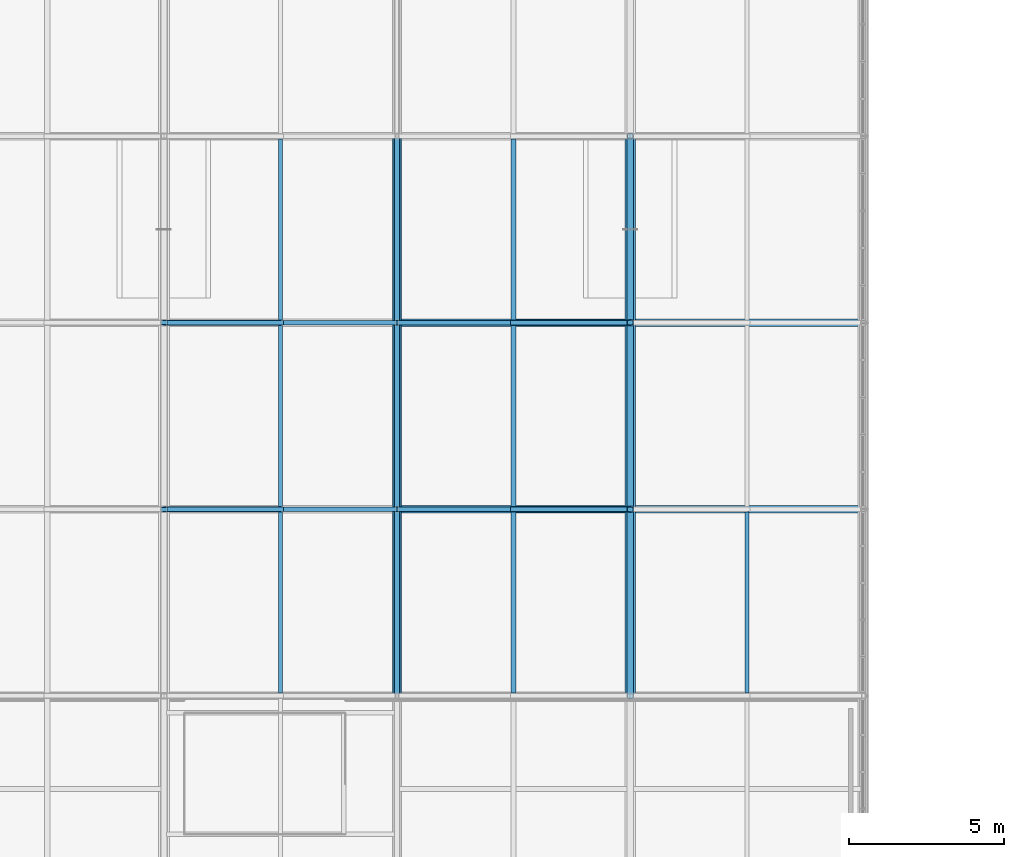
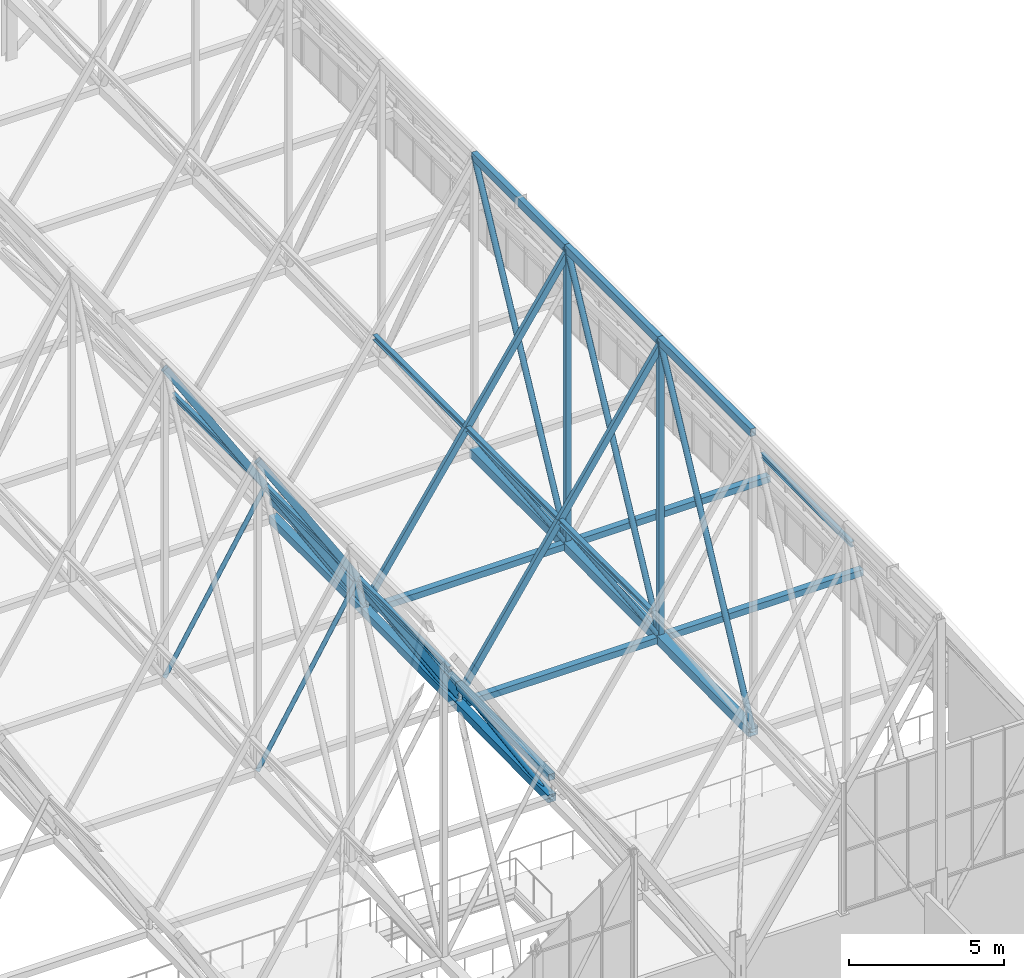
# One storey, part 221 of 324: 34 members, 7 beams.
"""IFC4 building model written with IfcOpenShell, lengths in metres."""

from ifc_helpers import new_model, si_unit, direction, frame, origin, origin_2d, place, context, subcontext, project, spatial, hollow_rectangle, hollow_circle, i_section, extrude, material, material_profile, profile_set, type_object, element, save


model = new_model("IFC4")

# Units and contexts
model_context = context("Model", 3, precision=1e-05, world=origin(), true_north=direction((0.0, 1.0)))
body_context = subcontext(model_context, "Body", "Model", "MODEL_VIEW")
ifc_project = project(units=[si_unit("LENGTHUNIT", "METRE"), si_unit("AREAUNIT", "SQUARE_METRE"), si_unit("VOLUMEUNIT", "CUBIC_METRE"), si_unit("PLANEANGLEUNIT", "RADIAN"), si_unit("MASSUNIT", "GRAM", prefix="KILO")], contexts=[model_context])

# Site, building, storey
site_placement = place(None, origin())
site = spatial("IfcSite", under=ifc_project, at=site_placement, CompositionType="ELEMENT")
building_placement = place(site_placement, origin())
building = spatial("IfcBuilding", under=site, at=building_placement, Name="Solvenia Promenade Tram Depot", CompositionType="ELEMENT")
storey_placement = place(building_placement, frame((0.0, 0.0, 4.5)))
storey = spatial("IfcBuildingStorey", under=building, at=storey_placement, Name="L01", CompositionType="ELEMENT", Elevation=4.5)

# Members
ifc_material_1 = material(Name="Structural steel ASTM A500 Gr. C", Category="steel")
ifc_material_profile_1 = material_profile(ifc_material_1, hollow_circle(Radius=0.109619140625, WallThickness=0.008056640625, at=origin_2d()), Name="CHS219.1x8", Category="steel")
ifc_profile_set_1 = profile_set([ifc_material_profile_1], Name="Structural steel ASTM A500 Gr. C")
member_type_1 = type_object("IfcMemberType", Name="Brace-CHS219x8", PredefinedType="BRACE", material=ifc_profile_set_1)
member_1_placement = place(storey_placement, frame((142.5, 78.0, 2.5439453125), z_axis=(0.0, 0.453827022194, 0.891089801269), x_axis=(-1.0, 0.0, 0.0)))
element("IfcMember", 1, at=member_1_placement, inside=storey, type_object=member_type_1, Name="Arched Truss T20 Web Diagonal S03", PredefinedType="BRACE", context=body_context, shape_type="SweptSolid", body=[
    extrude(hollow_circle(Radius=0.109619140625, WallThickness=0.008056640625, at=origin_2d()), origin(), (0.0, 0.0, 1.0), 13.220947265625),
])
member_2_placement = place(storey_placement, frame((142.5, 84.0, 2.614013671875), z_axis=(0.0, 0.455979110713, 0.889990477811), x_axis=(-1.0, 0.0, 0.0)))
element("IfcMember", 2, at=member_2_placement, inside=storey, type_object=member_type_1, Name="Arched Truss T20 Web Diagonal S04", PredefinedType="BRACE", context=body_context, shape_type="SweptSolid", body=[
    extrude(hollow_circle(Radius=0.109619140625, WallThickness=0.008056640625, at=origin_2d()), origin(), (0.0, 0.0, 1.0), 13.158447265625),
])
member_3_placement = place(storey_placement, frame((142.5, 90.0, 2.656005859375), z_axis=(0.0, 0.457277380329, 0.88932412395), x_axis=(-1.0, 0.0, 0.0)))
element("IfcMember", 3, at=member_3_placement, inside=storey, type_object=member_type_1, Name="Arched Truss T20 Web Diagonal S05", PredefinedType="BRACE", context=body_context, shape_type="SweptSolid", body=[
    extrude(hollow_circle(Radius=0.109619140625, WallThickness=0.008056640625, at=origin_2d()), origin(), (0.0, 0.0, 1.0), 13.12109375),
])
ifc_material_profile_2 = material_profile(ifc_material_1, hollow_rectangle(XDim=0.14990234375, YDim=0.25, WallThickness=0.010009765625, at=origin_2d()), Name="HSS250x150x10", Category="steel")
ifc_profile_set_2 = profile_set([ifc_material_profile_2], Name="Structural steel ASTM A500 Gr. C")
member_type_2 = type_object("IfcMemberType", Name="Chord-HSS250x150x10", PredefinedType="CHORD", material=ifc_profile_set_2)
member_4_placement = place(storey_placement, frame((127.5, 84.0, 14.83251953125), z_axis=(0.533522444929, 0.0, -0.845785907164), x_axis=(0.0, 1.0, 0.0)))
element("IfcMember", 4, at=member_4_placement, inside=storey, type_object=member_type_2, Name="Zigzag Gable 09 East Upper Rafter", PredefinedType="CHORD", context=body_context, shape_type="SweptSolid", body=[
    extrude(hollow_rectangle(XDim=0.14990234375, YDim=0.25, WallThickness=0.010009765625, at=origin_2d()), origin(), (0.0, 0.0, 1.0), 7.02880859375),
])
member_5_placement = place(storey_placement, frame((131.25, 84.0, 8.8876953125), z_axis=(0.533506771487, 0.0, -0.845795793781), x_axis=(0.0, 1.0, 0.0)))
element("IfcMember", 5, at=member_5_placement, inside=storey, type_object=member_type_2, Name="Zigzag Gable 09 East Lower Rafter", PredefinedType="CHORD", context=body_context, shape_type="SweptSolid", body=[
    extrude(hollow_rectangle(XDim=0.14990234375, YDim=0.25, WallThickness=0.010009765625, at=origin_2d()), origin(), (0.0, 0.0, 1.0), 7.029052734375),
])
member_6_placement = place(storey_placement, frame((127.5, 90.0, 14.83251953125), z_axis=(0.533522444929, 0.0, -0.845785907164), x_axis=(0.0, 1.0, 0.0)))
element("IfcMember", 6, at=member_6_placement, inside=storey, type_object=member_type_2, Name="Zigzag Gable 09 East Upper Rafter", PredefinedType="CHORD", context=body_context, shape_type="SweptSolid", body=[
    extrude(hollow_rectangle(XDim=0.14990234375, YDim=0.25, WallThickness=0.010009765625, at=origin_2d()), origin(), (0.0, 0.0, 1.0), 7.02880859375),
])
member_7_placement = place(storey_placement, frame((131.25, 90.0, 8.8876953125), z_axis=(0.533506771487, 0.0, -0.845795793781), x_axis=(0.0, 1.0, 0.0)))
element("IfcMember", 7, at=member_7_placement, inside=storey, type_object=member_type_2, Name="Zigzag Gable 09 East Lower Rafter", PredefinedType="CHORD", context=body_context, shape_type="SweptSolid", body=[
    extrude(hollow_rectangle(XDim=0.14990234375, YDim=0.25, WallThickness=0.010009765625, at=origin_2d()), origin(), (0.0, 0.0, 1.0), 7.029052734375),
])
for number, where, z_axis, x_axis, name in (
    (8, (135.0, 84.0, 2.95703125), (0.557276274528, 0.0, 0.830327136644), (0.0, 1.0, 0.0), "Zigzag Gable 10 West Lower Rafter"),
    (9, (138.75, 84.0, 8.54443359375), (0.557259486914, 0.0, 0.83033840345), (0.0, 1.0, 0.0), "Zigzag Gable 10 West Upper Rafter"),
    (10, (135.0, 90.0, 2.95703125), (0.557276274528, 0.0, 0.830327136644), (0.0, 1.0, 0.0), "Zigzag Gable 10 West Lower Rafter"),
    (11, (138.75, 90.0, 8.54443359375), (0.557259486914, 0.0, 0.83033840345), (0.0, 1.0, 0.0), "Zigzag Gable 10 West Upper Rafter"),
):
    element("IfcMember", number, at=place(storey_placement, frame(where, z_axis=z_axis, x_axis=x_axis)), inside=storey, type_object=member_type_2, Name=name, PredefinedType="CHORD", context=body_context, shape_type="SweptSolid", body=[
        extrude(hollow_rectangle(XDim=0.14990234375, YDim=0.25, WallThickness=0.010009765625, at=origin_2d()), origin(), (0.0, 0.0, 1.0), 6.729248046875),
    ])
ifc_material_profile_3 = material_profile(ifc_material_1, hollow_rectangle(XDim=0.25, YDim=0.25, WallThickness=0.010009765625, at=origin_2d()), Name="HSS250x250x10", Category="steel")
ifc_profile_set_3 = profile_set([ifc_material_profile_3], Name="Structural steel ASTM A500 Gr. C")
member_type_3 = type_object("IfcMemberType", Name="Chord-HSS250x250x10", PredefinedType="CHORD", material=ifc_profile_set_3)
for number, where, z_axis, x_axis, name in (
    (12, (135.0, 78.0, 3.3798828125), (0.0, 1.0, 0.0), (-1.0, 0.0, 0.0), "Arched Truss T19 Upper Chord S03"),
    (13, (135.0, 84.0, 3.3798828125), (0.0, 1.0, 0.0), (-1.0, 0.0, 0.0), "Arched Truss T19 Upper Chord S04"),
    (14, (135.0, 90.0, 3.3798828125), (0.0, 1.0, 0.0), (-1.0, 0.0, 0.0), "Arched Truss T19 Upper Chord S05"),
):
    element("IfcMember", number, at=place(storey_placement, frame(where, z_axis=z_axis, x_axis=x_axis)), inside=storey, type_object=member_type_3, Name=name, PredefinedType="CHORD", context=body_context, shape_type="SweptSolid", body=[
        extrude(hollow_rectangle(XDim=0.25, YDim=0.25, WallThickness=0.010009765625, at=origin_2d()), origin(), (0.0, 0.0, 1.0), 6.0),
    ])
for number, where, z_axis, x_axis, name in (
    (15, (135.0, 84.0, 2.614013671875), (1.0, 0.0, 0.0), (0.0, 1.0, 0.0), "Bottom-Chord Catenary Lateral Tie 084"),
    (16, (135.0, 90.0, 2.656005859375), (1.0, 0.0, 0.0), (0.0, 1.0, 0.0), "Bottom-Chord Catenary Lateral Tie 085"),
):
    element("IfcMember", number, at=place(storey_placement, frame(where, z_axis=z_axis, x_axis=x_axis)), inside=storey, type_object=member_type_3, Name=name, PredefinedType="CHORD", context=body_context, shape_type="SweptSolid", body=[
        extrude(hollow_rectangle(XDim=0.25, YDim=0.25, WallThickness=0.010009765625, at=origin_2d()), origin(), (0.0, 0.0, 1.0), 15.0),
    ])
ifc_material_profile_4 = material_profile(ifc_material_1, hollow_rectangle(XDim=0.199951171875, YDim=0.300048828125, WallThickness=0.012451171875, at=origin_2d()), Name="HSS300x200x12.5", Category="steel")
ifc_profile_set_4 = profile_set([ifc_material_profile_4], Name="Structural steel ASTM A500 Gr. C")
member_type_4 = type_object("IfcMemberType", Name="Chord-HSS300x200x12", PredefinedType="CHORD", material=ifc_profile_set_4)
for number, where, z_axis, x_axis, name in (
    (17, (142.5, 78.0, 14.324951171875), (0.0, 1.0, 0.0), (-1.0, 0.0, 0.0), "Arched Truss T20 Upper Chord S03"),
    (18, (142.5, 84.0, 14.324951171875), (0.0, 1.0, 0.0), (-1.0, 0.0, 0.0), "Arched Truss T20 Upper Chord S04"),
    (19, (142.5, 90.0, 14.324951171875), (0.0, 1.0, 0.0), (-1.0, 0.0, 0.0), "Arched Truss T20 Upper Chord S05"),
):
    element("IfcMember", number, at=place(storey_placement, frame(where, z_axis=z_axis, x_axis=x_axis)), inside=storey, type_object=member_type_4, Name=name, PredefinedType="CHORD", context=body_context, shape_type="SweptSolid", body=[
        extrude(hollow_rectangle(XDim=0.199951171875, YDim=0.300048828125, WallThickness=0.012451171875, at=origin_2d()), origin(), (0.0, 0.0, 1.0), 6.0),
    ])
ifc_material_profile_5 = material_profile(ifc_material_1, hollow_rectangle(XDim=0.300048828125, YDim=0.300048828125, WallThickness=0.012451171875, at=origin_2d()), Name="HSS300x300x12.5", Category="steel")
ifc_profile_set_5 = profile_set([ifc_material_profile_5], Name="Structural steel ASTM A500 Gr. C")
member_type_5 = type_object("IfcMemberType", Name="Chord-HSS300x300x12", PredefinedType="CHORD", material=ifc_profile_set_5)
member_8_placement = place(storey_placement, frame((135.0, 78.0, 2.5439453125), z_axis=(0.0, 0.999931818432, 0.011677263667), x_axis=(-1.0, 0.0, 0.0)))
element("IfcMember", 20, at=member_8_placement, inside=storey, type_object=member_type_5, Name="Arched Truss T19 Bottom Chord S03", PredefinedType="CHORD", context=body_context, shape_type="SweptSolid", body=[
    extrude(hollow_rectangle(XDim=0.300048828125, YDim=0.300048828125, WallThickness=0.012451171875, at=origin_2d()), origin(), (0.0, 0.0, 1.0), 6.00048828125),
])
member_9_placement = place(storey_placement, frame((135.0, 84.0, 2.614013671875), z_axis=(0.0, 0.999975510013, 0.006998526519), x_axis=(-1.0, 0.0, 0.0)))
element("IfcMember", 21, at=member_9_placement, inside=storey, type_object=member_type_5, Name="Arched Truss T19 Bottom Chord S04", PredefinedType="CHORD", context=body_context, shape_type="SweptSolid", body=[
    extrude(hollow_rectangle(XDim=0.300048828125, YDim=0.300048828125, WallThickness=0.012451171875, at=origin_2d()), origin(), (0.0, 0.0, 1.0), 6.000244140625),
])
member_10_placement = place(storey_placement, frame((135.0, 90.0, 2.656005859375), z_axis=(0.0, 0.999997310351, 0.002319329699), x_axis=(-1.0, 0.0, 0.0)))
element("IfcMember", 22, at=member_10_placement, inside=storey, type_object=member_type_5, Name="Arched Truss T19 Bottom Chord S05", PredefinedType="CHORD", context=body_context, shape_type="SweptSolid", body=[
    extrude(hollow_rectangle(XDim=0.300048828125, YDim=0.300048828125, WallThickness=0.012451171875, at=origin_2d()), origin(), (0.0, 0.0, 1.0), 6.0),
])
ifc_material_profile_6 = material_profile(ifc_material_1, hollow_rectangle(XDim=0.35009765625, YDim=0.35009765625, WallThickness=0.01611328125, at=origin_2d()), Name="HSS350x350x16", Category="steel")
ifc_profile_set_6 = profile_set([ifc_material_profile_6], Name="Structural steel ASTM A500 Gr. C")
member_type_6 = type_object("IfcMemberType", Name="Chord-HSS350x350x16", PredefinedType="CHORD", material=ifc_profile_set_6)
member_11_placement = place(storey_placement, frame((142.5, 78.0, 2.5439453125), z_axis=(0.0, 0.999931818432, 0.011677263667), x_axis=(-1.0, 0.0, 0.0)))
element("IfcMember", 23, at=member_11_placement, inside=storey, type_object=member_type_6, Name="Arched Truss T20 Bottom Chord S03", PredefinedType="CHORD", context=body_context, shape_type="SweptSolid", body=[
    extrude(hollow_rectangle(XDim=0.35009765625, YDim=0.35009765625, WallThickness=0.01611328125, at=origin_2d()), origin(), (0.0, 0.0, 1.0), 6.00048828125),
])
member_12_placement = place(storey_placement, frame((142.5, 84.0, 2.614013671875), z_axis=(0.0, 0.999975510013, 0.006998526519), x_axis=(-1.0, 0.0, 0.0)))
element("IfcMember", 24, at=member_12_placement, inside=storey, type_object=member_type_6, Name="Arched Truss T20 Bottom Chord S04", PredefinedType="CHORD", context=body_context, shape_type="SweptSolid", body=[
    extrude(hollow_rectangle(XDim=0.35009765625, YDim=0.35009765625, WallThickness=0.01611328125, at=origin_2d()), origin(), (0.0, 0.0, 1.0), 6.000244140625),
])
member_13_placement = place(storey_placement, frame((142.5, 90.0, 2.656005859375), z_axis=(0.0, 0.999997310351, 0.002319329699), x_axis=(-1.0, 0.0, 0.0)))
element("IfcMember", 25, at=member_13_placement, inside=storey, type_object=member_type_6, Name="Arched Truss T20 Bottom Chord S05", PredefinedType="CHORD", context=body_context, shape_type="SweptSolid", body=[
    extrude(hollow_rectangle(XDim=0.35009765625, YDim=0.35009765625, WallThickness=0.01611328125, at=origin_2d()), origin(), (0.0, 0.0, 1.0), 6.0),
])
ifc_material_profile_7 = material_profile(ifc_material_1, hollow_rectangle(XDim=0.199951171875, YDim=0.199951171875, WallThickness=0.010009765625, at=origin_2d()), Name="HSS200x200x10", Category="steel")
ifc_profile_set_7 = profile_set([ifc_material_profile_7], Name="Structural steel ASTM A500 Gr. C")
member_type_7 = type_object("IfcMemberType", Name="Post-HSS200x200x10", PredefinedType="POST", material=ifc_profile_set_7)
member_14_placement = place(storey_placement, frame((142.5, 84.0, 2.614013671875), z_axis=(0.0, 0.0, 1.0), x_axis=(1.0, 0.0, 0.0)))
element("IfcMember", 26, at=member_14_placement, inside=storey, type_object=member_type_7, Name="Arched Truss T20 Web Post S03", PredefinedType="POST", context=body_context, shape_type="SweptSolid", body=[
    extrude(hollow_rectangle(XDim=0.199951171875, YDim=0.199951171875, WallThickness=0.010009765625, at=origin_2d()), origin(), (0.0, 0.0, 1.0), 11.7109375),
])
member_15_placement = place(storey_placement, frame((142.5, 90.0, 2.656005859375), z_axis=(0.0, 0.0, 1.0), x_axis=(1.0, 0.0, 0.0)))
element("IfcMember", 27, at=member_15_placement, inside=storey, type_object=member_type_7, Name="Arched Truss T20 Web Post S04", PredefinedType="POST", context=body_context, shape_type="SweptSolid", body=[
    extrude(hollow_rectangle(XDim=0.199951171875, YDim=0.199951171875, WallThickness=0.010009765625, at=origin_2d()), origin(), (0.0, 0.0, 1.0), 11.6689453125),
])

# Beams
ifc_material_2 = material(Name="Structural steel ASTM A992 Gr. 50", Category="steel")
ifc_material_profile_8 = material_profile(ifc_material_2, i_section(OverallWidth=0.133056640625, OverallDepth=0.20703125, WebThickness=0.005859375, FlangeThickness=0.00830078125, FilletRadius=0.009033203125, at=origin_2d()), Name="W200x27", Category="steel")
ifc_profile_set_8 = profile_set([ifc_material_profile_8], Name="Structural steel ASTM A992 Gr. 50")
beam_type_1 = type_object("IfcBeamType", Name="Purlin-W200x27", PredefinedType="USERDEFINED", material=ifc_profile_set_8)
for number, where, z_axis, x_axis, name in (
    (28, (131.25, 78.0849609375, 8.8857421875), (0.0, 1.0, 0.0), (-1.0, 0.0, 0.0), "Gable Roof Purlin E-0166"),
    (29, (131.25, 84.0849609375, 8.8857421875), (0.0, 1.0, 0.0), (-1.0, 0.0, 0.0), "Gable Roof Purlin E-0168"),
    (30, (131.25, 90.0849609375, 8.8857421875), (0.0, 1.0, 0.0), (-1.0, 0.0, 0.0), "Gable Roof Purlin E-0170"),
    (31, (146.25, 78.0849609375, 8.551025390625), (0.0, 1.0, 0.0), (-1.0, 0.0, 0.0), "Gable Roof Purlin E-0186"),
):
    element("IfcBeam", number, at=place(storey_placement, frame(where, z_axis=z_axis, x_axis=x_axis)), inside=storey, type_object=beam_type_1, Name=name, ObjectType="PURLIN", PredefinedType="USERDEFINED", context=body_context, shape_type="SweptSolid", body=[
        extrude(i_section(OverallWidth=0.133056640625, OverallDepth=0.20703125, WebThickness=0.005859375, FlangeThickness=0.00830078125, FilletRadius=0.009033203125, at=origin_2d()), origin(), (0.0, 0.0, 1.0), 5.830078125),
    ])
ifc_material_profile_9 = material_profile(ifc_material_2, i_section(OverallWidth=0.1650390625, OverallDepth=0.200927734375, WebThickness=0.006103515625, FlangeThickness=0.01025390625, FilletRadius=0.010009765625, at=origin_2d()), Name="W200x36", Category="steel")
ifc_profile_set_9 = profile_set([ifc_material_profile_9], Name="Structural steel ASTM A992 Gr. 50")
beam_type_2 = type_object("IfcBeamType", Name="Purlin-W200x36", PredefinedType="USERDEFINED", material=ifc_profile_set_9)
for number, where, z_axis, x_axis, name in (
    (32, (138.75, 78.0849609375, 8.551025390625), (0.0, 1.0, 0.0), (-1.0, 0.0, 0.0), "Gable Roof Purlin W-0185"),
    (33, (138.75, 84.0849609375, 8.551025390625), (0.0, 1.0, 0.0), (-1.0, 0.0, 0.0), "Gable Roof Purlin W-0187"),
    (34, (138.75, 90.0849609375, 8.551025390625), (0.0, 1.0, 0.0), (-1.0, 0.0, 0.0), "Gable Roof Purlin W-0189"),
):
    element("IfcBeam", number, at=place(storey_placement, frame(where, z_axis=z_axis, x_axis=x_axis)), inside=storey, type_object=beam_type_2, Name=name, ObjectType="PURLIN", PredefinedType="USERDEFINED", context=body_context, shape_type="SweptSolid", body=[
        extrude(i_section(OverallWidth=0.1650390625, OverallDepth=0.200927734375, WebThickness=0.006103515625, FlangeThickness=0.01025390625, FilletRadius=0.010009765625, at=origin_2d()), origin(), (0.0, 0.0, 1.0), 5.830078125),
    ])

# Members
ifc_material_profile_10 = material_profile(ifc_material_1, hollow_circle(Radius=0.084228515625, WallThickness=0.008056640625, at=origin_2d()), Name="CHS168.3x8", Category="steel")
ifc_profile_set_10 = profile_set([ifc_material_profile_10], Name="Structural steel ASTM A500 Gr. C")
member_type_8 = type_object("IfcMemberType", Name="WebDiag-CHS168x8", PredefinedType="BRACE", material=ifc_profile_set_10)
member_16_placement = place(storey_placement, frame((135.0, 78.0, 2.5439453125), z_axis=(0.0, 0.990433608353, 0.13799009908), x_axis=(-1.0, 0.0, 0.0)))
element("IfcMember", 35, at=member_16_placement, inside=storey, type_object=member_type_8, Name="Arched Truss T19 Web Diagonal S03", PredefinedType="BRACE", context=body_context, shape_type="SweptSolid", body=[
    extrude(hollow_circle(Radius=0.084228515625, WallThickness=0.008056640625, at=origin_2d()), origin(), (0.0, 0.0, 1.0), 6.057861328125),
])
member_17_placement = place(storey_placement, frame((135.0, 84.0, 2.614013671875), z_axis=(0.0, 0.991951613347, 0.126617521609), x_axis=(-1.0, 0.0, 0.0)))
element("IfcMember", 36, at=member_17_placement, inside=storey, type_object=member_type_8, Name="Arched Truss T19 Web Diagonal S04", PredefinedType="BRACE", context=body_context, shape_type="SweptSolid", body=[
    extrude(hollow_circle(Radius=0.084228515625, WallThickness=0.008056640625, at=origin_2d()), origin(), (0.0, 0.0, 1.0), 6.048583984375),
])
member_18_placement = place(storey_placement, frame((135.0, 90.0, 2.656005859375), z_axis=(0.0, 0.992800749036, 0.119777596879), x_axis=(-1.0, 0.0, 0.0)))
element("IfcMember", 37, at=member_18_placement, inside=storey, type_object=member_type_8, Name="Arched Truss T19 Web Diagonal S05", PredefinedType="BRACE", context=body_context, shape_type="SweptSolid", body=[
    extrude(hollow_circle(Radius=0.084228515625, WallThickness=0.008056640625, at=origin_2d()), origin(), (0.0, 0.0, 1.0), 6.04345703125),
])
member_19_placement = place(storey_placement, frame((127.5, 84.0, 2.614013671875), z_axis=(0.513065601132, 0.0, 0.858349397935), x_axis=(0.0, 1.0, 0.0)))
element("IfcMember", 38, at=member_19_placement, inside=storey, type_object=member_type_8, Name="Zigzag Gable 09 East Knee Strut", PredefinedType="BRACE", context=body_context, shape_type="SweptSolid", body=[
    extrude(hollow_circle(Radius=0.084228515625, WallThickness=0.008056640625, at=origin_2d()), origin(), (0.0, 0.0, 1.0), 7.30908203125),
])
member_20_placement = place(storey_placement, frame((127.5, 90.0, 2.656005859375), z_axis=(0.515606033045, 0.0, 0.856825780826), x_axis=(0.0, 1.0, 0.0)))
element("IfcMember", 39, at=member_20_placement, inside=storey, type_object=member_type_8, Name="Zigzag Gable 09 East Knee Strut", PredefinedType="BRACE", context=body_context, shape_type="SweptSolid", body=[
    extrude(hollow_circle(Radius=0.084228515625, WallThickness=0.008056640625, at=origin_2d()), origin(), (0.0, 0.0, 1.0), 7.27294921875),
])
member_21_placement = place(storey_placement, frame((142.5, 84.0, 2.614013671875), z_axis=(-0.534448484902, 0.0, 0.845201051221), x_axis=(0.0, -1.0, 0.0)))
element("IfcMember", 40, at=member_21_placement, inside=storey, type_object=member_type_8, Name="Zigzag Gable 10 West Knee Strut", PredefinedType="BRACE", context=body_context, shape_type="SweptSolid", body=[
    extrude(hollow_circle(Radius=0.084228515625, WallThickness=0.008056640625, at=origin_2d()), origin(), (0.0, 0.0, 1.0), 7.0166015625),
])
member_22_placement = place(storey_placement, frame((142.5, 90.0, 2.656005859375), z_axis=(-0.537162844813, 0.0, 0.843478558206), x_axis=(0.0, -1.0, 0.0)))
element("IfcMember", 41, at=member_22_placement, inside=storey, type_object=member_type_8, Name="Zigzag Gable 10 West Knee Strut", PredefinedType="BRACE", context=body_context, shape_type="SweptSolid", body=[
    extrude(hollow_circle(Radius=0.084228515625, WallThickness=0.008056640625, at=origin_2d()), origin(), (0.0, 0.0, 1.0), 6.981201171875),
])

save(model, "model.ifc")
